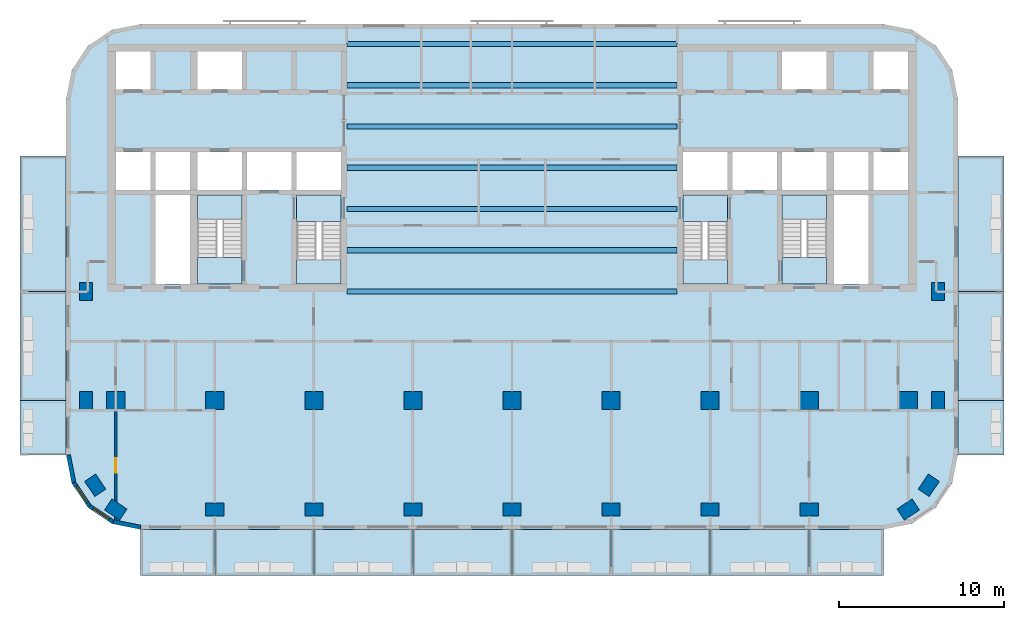
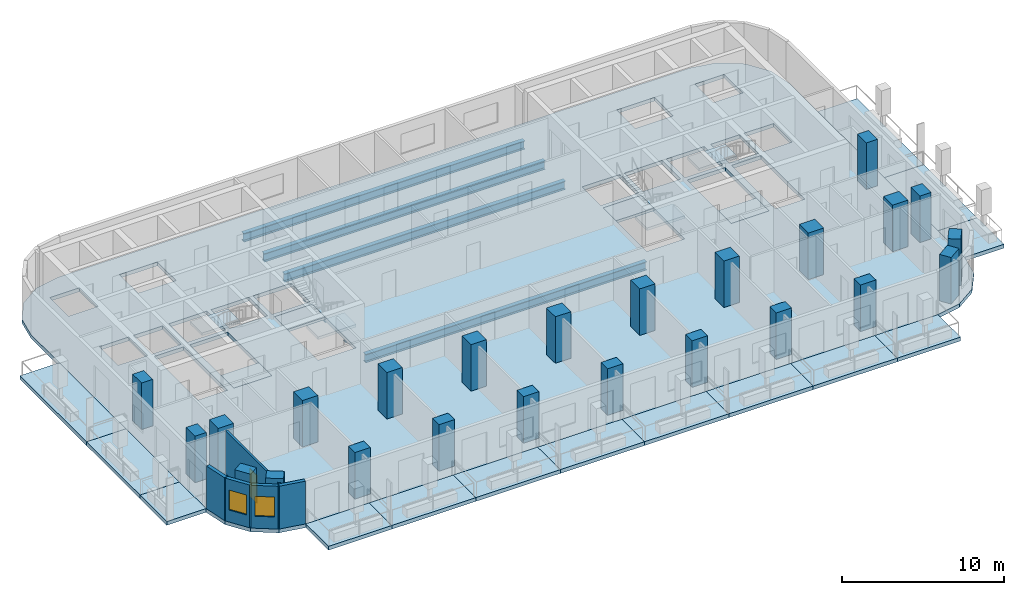
# One storey, part 1 of 11: 24 columns, 23 slabs, 7 beams, 5 walls, 2 windows, 1 door, 3 openings, 4 elements without a shape of their own.
"""IFC4 building model written with IfcOpenShell, lengths in metres."""

from ifc_helpers import new_model, si_unit, direction, frame, frame_2d, origin, origin_2d, place, context, subcontext, project, spatial, polyline, rectangle, i_section, outline, extrude, material, layer, layer_set, material_profile, profile_set, type_object, element, fill, aggregate, save


model = new_model("IFC4")

# Units and contexts
model_context = context("Model", 3, precision=1e-05, world=origin(), true_north=direction((0.0, 1.0)))
body_context = subcontext(model_context, "Body", "Model", "MODEL_VIEW")
ifc_project = project(units=[si_unit("LENGTHUNIT", "METRE"), si_unit("AREAUNIT", "SQUARE_METRE"), si_unit("VOLUMEUNIT", "CUBIC_METRE"), si_unit("PLANEANGLEUNIT", "RADIAN"), si_unit("MASSUNIT", "GRAM", prefix="KILO")], contexts=[model_context])

# Site, building, storey
site_placement = place(None, origin())
site = spatial("IfcSite", under=ifc_project, at=site_placement, CompositionType="ELEMENT")
building_placement = place(site_placement, origin())
building = spatial("IfcBuilding", under=site, at=building_placement, Name="Torana Hotel and Residences", CompositionType="ELEMENT")
storey_placement = place(building_placement, frame((0.0, 0.0, 194.10009765625)))
storey = spatial("IfcBuildingStorey", under=building, at=storey_placement, Name="L50", CompositionType="ELEMENT", Elevation=194.10009765625)

# Columns
ifc_material_1 = material(Name="Concrete C60/75", Category="concrete")
ifc_material_profile_1 = material_profile(ifc_material_1, rectangle(XDim=1.10009765625, YDim=1.10009765625, at=origin_2d()), Name="RC 1100x1100")
ifc_profile_set_1 = profile_set([ifc_material_profile_1], Name="Concrete C60/75")
column_type_1 = type_object("IfcColumnType", Name="COLUMN RC 1100x1100 C60/75", PredefinedType="COLUMN", material=ifc_profile_set_1)
for number, where, z_axis, x_axis, name in (
    (1, (-24.0, -21.60009765625, 0.0), (0.0, 0.0, 1.0), (1.0, 0.0, 0.0), "Column L50"),
    (2, (-18.0, -21.60009765625, 0.0), (0.0, 0.0, 1.0), (1.0, 0.0, 0.0), "Column L50"),
    (3, (-12.0, -21.60009765625, 0.0), (0.0, 0.0, 1.0), (1.0, 0.0, 0.0), "Column L50"),
    (4, (-6.0, -21.60009765625, 0.0), (0.0, 0.0, 1.0), (1.0, 0.0, 0.0), "Column L50"),
    (5, (0.0, -21.60009765625, 0.0), (0.0, 0.0, 1.0), (1.0, 0.0, 0.0), "Column L50"),
    (6, (6.0, -21.60009765625, 0.0), (0.0, 0.0, 1.0), (1.0, 0.0, 0.0), "Column L50"),
    (7, (12.0, -21.60009765625, 0.0), (0.0, 0.0, 1.0), (1.0, 0.0, 0.0), "Column L50"),
    (8, (18.0, -21.60009765625, 0.0), (0.0, 0.0, 1.0), (1.0, 0.0, 0.0), "Column L50"),
    (9, (24.0, -21.60009765625, 0.0), (0.0, 0.0, 1.0), (1.0, 0.0, 0.0), "Column L50"),
):
    element("IfcColumn", number, at=place(storey_placement, frame(where, z_axis=z_axis, x_axis=x_axis)), inside=storey, type_object=column_type_1, Name=name, PredefinedType="COLUMN", context=body_context, shape_type="SweptSolid", body=[
        extrude(rectangle(XDim=1.10009765625, YDim=1.10009765625, at=origin_2d()), origin(), (0.0, 0.0, 1.0), 3.5),
    ])
ifc_material_2 = material(Name="Concrete C60/75", Category="concrete")
ifc_material_profile_2 = material_profile(ifc_material_2, rectangle(XDim=1.10009765625, YDim=0.800048828125, at=origin_2d()), Name="RC 1100x800")
ifc_profile_set_2 = profile_set([ifc_material_profile_2], Name="Concrete C60/75")
column_type_2 = type_object("IfcColumnType", Name="COLUMN RC 1100x800 C60/75", PredefinedType="COLUMN", material=ifc_profile_set_2)
for number, where, z_axis, x_axis, name in (
    (10, (-25.800048828125, -21.60009765625, 0.0), (0.0, 0.0, 1.0), (0.0, 1.0, 0.0), "Column L50"),
    (11, (-25.800048828125, -15.0, 0.0), (0.0, 0.0, 1.0), (0.0, 1.0, 0.0), "Column L50"),
    (12, (-25.243896484375, -26.73291015625, 0.0), (0.0, 0.0, 1.0), (-0.555584744817, 0.831459915646, 0.0), "Column L50"),
    (13, (-24.0, -28.199951171875, 0.0), (0.0, 0.0, 1.0), (-0.831459915646, 0.555584744817, 0.0), "Column L50"),
    (14, (-18.0, -28.199951171875, 0.0), (0.0, 0.0, 1.0), (1.0, 0.0, 0.0), "Column L50"),
    (15, (-12.0, -28.199951171875, 0.0), (0.0, 0.0, 1.0), (1.0, 0.0, 0.0), "Column L50"),
    (16, (-6.0, -28.199951171875, 0.0), (0.0, 0.0, 1.0), (1.0, 0.0, 0.0), "Column L50"),
    (17, (0.0, -28.199951171875, 0.0), (0.0, 0.0, 1.0), (1.0, 0.0, 0.0), "Column L50"),
    (18, (6.0, -28.199951171875, 0.0), (0.0, 0.0, 1.0), (1.0, 0.0, 0.0), "Column L50"),
    (19, (12.0, -28.199951171875, 0.0), (0.0, 0.0, 1.0), (1.0, 0.0, 0.0), "Column L50"),
    (20, (18.0, -28.199951171875, 0.0), (0.0, 0.0, 1.0), (1.0, 0.0, 0.0), "Column L50"),
    (21, (24.0, -28.199951171875, 0.0), (0.0, 0.0, 1.0), (0.831459915646, 0.555584744817, 0.0), "Column L50"),
    (22, (25.243896484375, -26.73291015625, 0.0), (0.0, 0.0, 1.0), (0.555584744817, 0.831459915646, 0.0), "Column L50"),
    (23, (25.800048828125, -21.60009765625, 0.0), (0.0, 0.0, 1.0), (0.0, 1.0, 0.0), "Column L50"),
    (24, (25.800048828125, -15.0, 0.0), (0.0, 0.0, 1.0), (0.0, 1.0, 0.0), "Column L50"),
):
    element("IfcColumn", number, at=place(storey_placement, frame(where, z_axis=z_axis, x_axis=x_axis)), inside=storey, type_object=column_type_2, Name=name, PredefinedType="COLUMN", context=body_context, shape_type="SweptSolid", body=[
        extrude(rectangle(XDim=1.10009765625, YDim=0.800048828125, at=origin_2d()), origin(), (0.0, 0.0, 1.0), 3.5),
    ])

# Beams
ifc_material_3 = material(Name="Steel S355", Category="steel")
ifc_material_profile_3 = material_profile(ifc_material_3, i_section(OverallWidth=0.311279296875, OverallDepth=0.6357421875, WebThickness=0.018310546875, FlangeThickness=0.031494140625, FilletRadius=0.0166015625, at=origin_2d()), Name="610x305x238 UB")
ifc_profile_set_3 = profile_set([ifc_material_profile_3], Name="Steel S355")
beam_type = type_object("IfcBeamType", Name="STEEL GIRDER 610x305x238 UB", PredefinedType="BEAM", material=ifc_profile_set_3)
for number, where, z_axis, x_axis, name in (
    (25, (-10.0, -15.0, -0.597900390625), (1.0, 0.0, 0.0), (0.0, 1.0, 0.0), "Floor girder"),
    (26, (-10.0, -12.5, -0.597900390625), (1.0, 0.0, 0.0), (0.0, 1.0, 0.0), "Floor girder"),
    (27, (-10.0, -10.0, -0.597900390625), (1.0, 0.0, 0.0), (0.0, 1.0, 0.0), "Floor girder"),
    (28, (-10.0, -7.5, -0.597900390625), (1.0, 0.0, 0.0), (0.0, 1.0, 0.0), "Floor girder"),
    (29, (-10.0, -5.0, -0.597900390625), (1.0, 0.0, 0.0), (0.0, 1.0, 0.0), "Floor girder"),
    (30, (-10.0, -2.5, -0.597900390625), (1.0, 0.0, 0.0), (0.0, 1.0, 0.0), "Floor girder"),
    (31, (-10.0, 0.0, -0.597900390625), (1.0, 0.0, 0.0), (0.0, 1.0, 0.0), "Floor girder"),
):
    element("IfcBeam", number, at=place(storey_placement, frame(where, z_axis=z_axis, x_axis=x_axis)), inside=storey, type_object=beam_type, Name=name, PredefinedType="BEAM", context=body_context, shape_type="SweptSolid", body=[
        extrude(i_section(OverallWidth=0.311279296875, OverallDepth=0.6357421875, WebThickness=0.018310546875, FlangeThickness=0.031494140625, FilletRadius=0.0166015625, at=origin_2d()), origin(), (0.0, 0.0, 1.0), 20.0),
    ])

# Slabs
ifc_material_4 = material(Name="Concrete C40/50", Category="concrete")
ifc_layer_1 = layer(ifc_material_4, 0.280029296875)
ifc_layer_set_1 = layer_set([ifc_layer_1], Name="BAL1 BALCONY SLAB 280")
slab_type_1 = type_object("IfcSlabType", Name="BAL1 BALCONY SLAB 280", PredefinedType="USERDEFINED", material=ifc_layer_set_1)
slab_1_placement = place(storey_placement, frame((0.0, 0.0, -0.280029296875)))
element("IfcSlab", 32, at=slab_1_placement, inside=storey, type_object=slab_type_1, Name="Balcony 01", ObjectType="BALCONY", PredefinedType="USERDEFINED", context=body_context, shape_type="SweptSolid", body=[
    extrude(outline(polyline([(-22.5, -32.199951171875), (-18.0, -32.199951171875), (-18.0, -29.39990234375), (-22.5, -29.39990234375), (-22.5, -32.199951171875)])), origin(), (0.0, 0.0, 1.0), 0.280029296875),
])
slab_2_placement = place(storey_placement, frame((0.0, 0.0, -0.280029296875)))
element("IfcSlab", 33, at=slab_2_placement, inside=storey, type_object=slab_type_1, Name="Balcony 02", ObjectType="BALCONY", PredefinedType="USERDEFINED", context=body_context, shape_type="SweptSolid", body=[
    extrude(outline(polyline([(-18.0, -32.199951171875), (-12.0, -32.199951171875), (-12.0, -29.39990234375), (-18.0, -29.39990234375), (-18.0, -32.199951171875)])), origin(), (0.0, 0.0, 1.0), 0.280029296875),
])
slab_3_placement = place(storey_placement, frame((0.0, 0.0, -0.280029296875)))
element("IfcSlab", 34, at=slab_3_placement, inside=storey, type_object=slab_type_1, Name="Balcony 03", ObjectType="BALCONY", PredefinedType="USERDEFINED", context=body_context, shape_type="SweptSolid", body=[
    extrude(outline(polyline([(-12.0, -32.199951171875), (-6.0, -32.199951171875), (-6.0, -29.39990234375), (-12.0, -29.39990234375), (-12.0, -32.199951171875)])), origin(), (0.0, 0.0, 1.0), 0.280029296875),
])
slab_4_placement = place(storey_placement, frame((0.0, 0.0, -0.280029296875)))
element("IfcSlab", 35, at=slab_4_placement, inside=storey, type_object=slab_type_1, Name="Balcony 04", ObjectType="BALCONY", PredefinedType="USERDEFINED", context=body_context, shape_type="SweptSolid", body=[
    extrude(outline(polyline([(-6.0, -32.199951171875), (0.0, -32.199951171875), (0.0, -29.39990234375), (-6.0, -29.39990234375), (-6.0, -32.199951171875)])), origin(), (0.0, 0.0, 1.0), 0.280029296875),
])
slab_5_placement = place(storey_placement, frame((0.0, 0.0, -0.280029296875)))
element("IfcSlab", 36, at=slab_5_placement, inside=storey, type_object=slab_type_1, Name="Balcony 05", ObjectType="BALCONY", PredefinedType="USERDEFINED", context=body_context, shape_type="SweptSolid", body=[
    extrude(outline(polyline([(0.0, -32.199951171875), (6.0, -32.199951171875), (6.0, -29.39990234375), (0.0, -29.39990234375), (0.0, -32.199951171875)])), origin(), (0.0, 0.0, 1.0), 0.280029296875),
])
slab_6_placement = place(storey_placement, frame((0.0, 0.0, -0.280029296875)))
element("IfcSlab", 37, at=slab_6_placement, inside=storey, type_object=slab_type_1, Name="Balcony 06", ObjectType="BALCONY", PredefinedType="USERDEFINED", context=body_context, shape_type="SweptSolid", body=[
    extrude(outline(polyline([(6.0, -32.199951171875), (12.0, -32.199951171875), (12.0, -29.39990234375), (6.0, -29.39990234375), (6.0, -32.199951171875)])), origin(), (0.0, 0.0, 1.0), 0.280029296875),
])
slab_7_placement = place(storey_placement, frame((0.0, 0.0, -0.280029296875)))
element("IfcSlab", 38, at=slab_7_placement, inside=storey, type_object=slab_type_1, Name="Balcony 07", ObjectType="BALCONY", PredefinedType="USERDEFINED", context=body_context, shape_type="SweptSolid", body=[
    extrude(outline(polyline([(12.0, -32.199951171875), (18.0, -32.199951171875), (18.0, -29.39990234375), (12.0, -29.39990234375), (12.0, -32.199951171875)])), origin(), (0.0, 0.0, 1.0), 0.280029296875),
])
slab_8_placement = place(storey_placement, frame((0.0, 0.0, -0.280029296875)))
element("IfcSlab", 39, at=slab_8_placement, inside=storey, type_object=slab_type_1, Name="Balcony 08", ObjectType="BALCONY", PredefinedType="USERDEFINED", context=body_context, shape_type="SweptSolid", body=[
    extrude(outline(polyline([(18.0, -32.199951171875), (22.5, -32.199951171875), (22.5, -29.39990234375), (18.0, -29.39990234375), (18.0, -32.199951171875)])), origin(), (0.0, 0.0, 1.0), 0.280029296875),
])
slab_9_placement = place(storey_placement, frame((0.0, 0.0, -0.280029296875)))
element("IfcSlab", 40, at=slab_9_placement, inside=storey, type_object=slab_type_1, Name="Balcony 09", ObjectType="BALCONY", PredefinedType="USERDEFINED", context=body_context, shape_type="SweptSolid", body=[
    extrude(outline(polyline([(-29.800048828125, -24.89990234375), (-27.0, -24.89990234375), (-27.0, -21.60009765625), (-29.800048828125, -21.60009765625), (-29.800048828125, -24.89990234375)])), origin(), (0.0, 0.0, 1.0), 0.280029296875),
])
slab_10_placement = place(storey_placement, frame((0.0, 0.0, -0.280029296875)))
element("IfcSlab", 41, at=slab_10_placement, inside=storey, type_object=slab_type_1, Name="Balcony 10", ObjectType="BALCONY", PredefinedType="USERDEFINED", context=body_context, shape_type="SweptSolid", body=[
    extrude(outline(polyline([(-29.800048828125, -21.60009765625), (-27.0, -21.60009765625), (-27.0, -15.0), (-29.800048828125, -15.0), (-29.800048828125, -21.60009765625)])), origin(), (0.0, 0.0, 1.0), 0.280029296875),
])
slab_11_placement = place(storey_placement, frame((0.0, 0.0, -0.280029296875)))
element("IfcSlab", 42, at=slab_11_placement, inside=storey, type_object=slab_type_1, Name="Balcony 11", ObjectType="BALCONY", PredefinedType="USERDEFINED", context=body_context, shape_type="SweptSolid", body=[
    extrude(outline(polyline([(-29.800048828125, -15.0), (-27.0, -15.0), (-27.0, -6.800048828125), (-29.800048828125, -6.800048828125), (-29.800048828125, -15.0)])), origin(), (0.0, 0.0, 1.0), 0.280029296875),
])
slab_12_placement = place(storey_placement, frame((0.0, 0.0, -0.280029296875)))
element("IfcSlab", 43, at=slab_12_placement, inside=storey, type_object=slab_type_1, Name="Balcony 12", ObjectType="BALCONY", PredefinedType="USERDEFINED", context=body_context, shape_type="SweptSolid", body=[
    extrude(outline(polyline([(27.0, -24.89990234375), (29.800048828125, -24.89990234375), (29.800048828125, -21.60009765625), (27.0, -21.60009765625), (27.0, -24.89990234375)])), origin(), (0.0, 0.0, 1.0), 0.280029296875),
])
slab_13_placement = place(storey_placement, frame((0.0, 0.0, -0.280029296875)))
element("IfcSlab", 44, at=slab_13_placement, inside=storey, type_object=slab_type_1, Name="Balcony 13", ObjectType="BALCONY", PredefinedType="USERDEFINED", context=body_context, shape_type="SweptSolid", body=[
    extrude(outline(polyline([(27.0, -21.60009765625), (29.800048828125, -21.60009765625), (29.800048828125, -15.0), (27.0, -15.0), (27.0, -21.60009765625)])), origin(), (0.0, 0.0, 1.0), 0.280029296875),
])
slab_14_placement = place(storey_placement, frame((0.0, 0.0, -0.280029296875)))
element("IfcSlab", 45, at=slab_14_placement, inside=storey, type_object=slab_type_1, Name="Balcony 14", ObjectType="BALCONY", PredefinedType="USERDEFINED", context=body_context, shape_type="SweptSolid", body=[
    extrude(outline(polyline([(27.0, -15.0), (29.800048828125, -15.0), (29.800048828125, -6.800048828125), (27.0, -6.800048828125), (27.0, -15.0)])), origin(), (0.0, 0.0, 1.0), 0.280029296875),
])
ifc_material_5 = material(Name="Concrete C40/50", Category="concrete")
ifc_layer_2 = layer(ifc_material_5, 0.280029296875)
ifc_layer_set_2 = layer_set([ifc_layer_2], Name="FLOOR SLAB PT 280")
slab_type_2 = type_object("IfcSlabType", Name="FLOOR SLAB PT 280", PredefinedType="FLOOR", material=ifc_layer_set_2)
slab_15_placement = place(storey_placement, frame((0.0, 0.0, -0.280029296875)))
element("IfcSlab", 46, at=slab_15_placement, inside=storey, type_object=slab_type_2, Name="Floor slab", PredefinedType="FLOOR", context=body_context, shape_type="SweptSolid", body=[
    extrude(outline(polyline([(27.0, -3.300048828125), (26.657470703125, -1.577880859375), (25.681884765625, -0.117919921875), (24.22216796875, 0.857421875), (22.5, 1.199951171875), (-22.5, 1.199951171875), (-24.22216796875, 0.857421875), (-25.681884765625, -0.117919921875), (-26.657470703125, -1.577880859375), (-27.0, -3.300048828125), (-27.0, -24.89990234375), (-26.657470703125, -26.6220703125), (-25.681884765625, -28.08203125), (-24.22216796875, -29.0576171875), (-22.5, -29.39990234375), (22.5, -29.39990234375), (24.22216796875, -29.0576171875), (25.681884765625, -28.08203125), (26.657470703125, -26.6220703125), (27.0, -24.89990234375), (27.0, -3.300048828125)]), holes=[polyline([(-13.050048828125, -14.550048828125), (-10.35009765625, -14.550048828125), (-10.35009765625, -9.14990234375), (-13.050048828125, -9.14990234375), (-13.050048828125, -14.550048828125)]), polyline([(-19.050048828125, -14.550048828125), (-16.35009765625, -14.550048828125), (-16.35009765625, -9.14990234375), (-19.050048828125, -9.14990234375), (-19.050048828125, -14.550048828125)]), polyline([(-19.050048828125, -2.75), (-16.35009765625, -2.75), (-16.35009765625, -0.449951171875), (-19.050048828125, -0.449951171875), (-19.050048828125, -2.75)]), polyline([(-21.60009765625, -8.85009765625), (-19.5, -8.85009765625), (-19.5, -6.550048828125), (-21.60009765625, -6.550048828125), (-21.60009765625, -8.85009765625)]), polyline([(-24.0, -2.75), (-21.89990234375, -2.75), (-21.89990234375, -0.449951171875), (-24.0, -0.449951171875), (-24.0, -2.75)]), polyline([(-24.0, -8.85009765625), (-21.89990234375, -8.85009765625), (-21.89990234375, -6.550048828125), (-24.0, -6.550048828125), (-24.0, -8.85009765625)]), polyline([(-13.050048828125, -8.85009765625), (-10.35009765625, -8.85009765625), (-10.35009765625, -6.550048828125), (-13.050048828125, -6.550048828125), (-13.050048828125, -8.85009765625)]), polyline([(-16.050048828125, -8.85009765625), (-13.35009765625, -8.85009765625), (-13.35009765625, -6.550048828125), (-16.050048828125, -6.550048828125), (-16.050048828125, -8.85009765625)]), polyline([(-19.050048828125, -8.85009765625), (-16.35009765625, -8.85009765625), (-16.35009765625, -6.550048828125), (-19.050048828125, -6.550048828125), (-19.050048828125, -8.85009765625)]), polyline([(-21.60009765625, -14.550048828125), (-19.5, -14.550048828125), (-19.5, -9.14990234375), (-21.60009765625, -9.14990234375), (-21.60009765625, -14.550048828125)]), polyline([(10.35009765625, -14.550048828125), (13.050048828125, -14.550048828125), (13.050048828125, -9.14990234375), (10.35009765625, -9.14990234375), (10.35009765625, -14.550048828125)]), polyline([(16.35009765625, -14.550048828125), (19.050048828125, -14.550048828125), (19.050048828125, -9.14990234375), (16.35009765625, -9.14990234375), (16.35009765625, -14.550048828125)]), polyline([(16.35009765625, -2.75), (19.050048828125, -2.75), (19.050048828125, -0.449951171875), (16.35009765625, -0.449951171875), (16.35009765625, -2.75)]), polyline([(19.5, -8.85009765625), (21.60009765625, -8.85009765625), (21.60009765625, -6.550048828125), (19.5, -6.550048828125), (19.5, -8.85009765625)]), polyline([(21.89990234375, -2.75), (24.0, -2.75), (24.0, -0.449951171875), (21.89990234375, -0.449951171875), (21.89990234375, -2.75)]), polyline([(21.89990234375, -8.85009765625), (24.0, -8.85009765625), (24.0, -6.550048828125), (21.89990234375, -6.550048828125), (21.89990234375, -8.85009765625)]), polyline([(10.35009765625, -8.85009765625), (13.050048828125, -8.85009765625), (13.050048828125, -6.550048828125), (10.35009765625, -6.550048828125), (10.35009765625, -8.85009765625)]), polyline([(13.35009765625, -8.85009765625), (16.050048828125, -8.85009765625), (16.050048828125, -6.550048828125), (13.35009765625, -6.550048828125), (13.35009765625, -8.85009765625)]), polyline([(16.35009765625, -8.85009765625), (19.050048828125, -8.85009765625), (19.050048828125, -6.550048828125), (16.35009765625, -6.550048828125), (16.35009765625, -8.85009765625)]), polyline([(19.5, -14.550048828125), (21.60009765625, -14.550048828125), (21.60009765625, -9.14990234375), (19.5, -9.14990234375), (19.5, -14.550048828125)])]), origin(), (0.0, 0.0, 1.0), 0.280029296875),
])

# Stair, slabs
ifc_material_6 = material(Name="Concrete C40/50 precast", Category="concrete")
stair_type_1 = type_object("IfcStairType", Name="STAIR ST1 HALF TURN 1200", PredefinedType="HALF_TURN_STAIR", material=ifc_material_6)
stair_1_placement = place(storey_placement, origin())
stair_1 = element("IfcStair", 47, at=stair_1_placement, inside=storey, type_object=stair_type_1, Name="Stair ST1 L50", PredefinedType="HALF_TURN_STAIR")
ifc_material_7 = material(Name="Concrete C40/50 precast", Category="concrete")
ifc_layer_3 = layer(ifc_material_7, 0.199951171875)
ifc_layer_set_3 = layer_set([ifc_layer_3], Name="STAIR LANDING 200")
slab_type_3 = type_object("IfcSlabType", Name="STAIR LANDING 200", PredefinedType="LANDING", material=ifc_layer_set_3)
slab_16_placement = place(storey_placement, frame((0.0, 0.0, 1.5498046875)))
slab_16 = element("IfcSlab", 48, at=slab_16_placement, type_object=slab_type_3, Name="ST1 landing 1", PredefinedType="LANDING", context=body_context, shape_type="SweptSolid", body=[
    extrude(outline(polyline([(-13.050048828125, -14.550048828125), (-10.35009765625, -14.550048828125), (-10.35009765625, -13.090087890625), (-13.050048828125, -13.090087890625), (-13.050048828125, -14.550048828125)])), origin(), (0.0, 0.0, 1.0), 0.2001953125),
])
slab_17_placement = place(storey_placement, frame((0.0, 0.0, -0.2001953125)))
slab_17 = element("IfcSlab", 49, at=slab_17_placement, type_object=slab_type_3, Name="ST1 landing 2", PredefinedType="LANDING", context=body_context, shape_type="SweptSolid", body=[
    extrude(outline(polyline([(-13.050048828125, -10.75), (-10.35009765625, -10.75), (-10.35009765625, -9.14990234375), (-13.050048828125, -9.14990234375), (-13.050048828125, -10.75)])), origin(), (0.0, 0.0, 1.0), 0.2001953125),
])
aggregate(stair_1, [slab_16, slab_17])

ifc_material_8 = material(Name="Concrete C40/50 precast", Category="concrete")
stair_type_2 = type_object("IfcStairType", Name="STAIR ST2 HALF TURN 1200", PredefinedType="HALF_TURN_STAIR", material=ifc_material_8)
stair_2_placement = place(storey_placement, origin())
stair_2 = element("IfcStair", 50, at=stair_2_placement, inside=storey, type_object=stair_type_2, Name="Stair ST2 L50", PredefinedType="HALF_TURN_STAIR")
slab_18_placement = place(storey_placement, frame((0.0, 0.0, 1.5498046875)))
slab_18 = element("IfcSlab", 51, at=slab_18_placement, type_object=slab_type_3, Name="ST2 landing 1", PredefinedType="LANDING", context=body_context, shape_type="SweptSolid", body=[
    extrude(outline(polyline([(-19.050048828125, -10.610107421875), (-16.35009765625, -10.610107421875), (-16.35009765625, -9.14990234375), (-19.050048828125, -9.14990234375), (-19.050048828125, -10.610107421875)])), origin(), (0.0, 0.0, 1.0), 0.2001953125),
])
slab_19_placement = place(storey_placement, frame((0.0, 0.0, -0.2001953125)))
slab_19 = element("IfcSlab", 52, at=slab_19_placement, type_object=slab_type_3, Name="ST2 landing 2", PredefinedType="LANDING", context=body_context, shape_type="SweptSolid", body=[
    extrude(outline(polyline([(-19.050048828125, -14.550048828125), (-16.35009765625, -14.550048828125), (-16.35009765625, -12.949951171875), (-19.050048828125, -12.949951171875), (-19.050048828125, -14.550048828125)])), origin(), (0.0, 0.0, 1.0), 0.2001953125),
])
aggregate(stair_2, [slab_18, slab_19])

ifc_material_9 = material(Name="Concrete C40/50 precast", Category="concrete")
stair_type_3 = type_object("IfcStairType", Name="STAIR ST3 HALF TURN 1200", PredefinedType="HALF_TURN_STAIR", material=ifc_material_9)
stair_3_placement = place(storey_placement, origin())
stair_3 = element("IfcStair", 53, at=stair_3_placement, inside=storey, type_object=stair_type_3, Name="Stair ST3 L50", PredefinedType="HALF_TURN_STAIR")
slab_20_placement = place(storey_placement, frame((0.0, 0.0, 1.5498046875)))
slab_20 = element("IfcSlab", 54, at=slab_20_placement, type_object=slab_type_3, Name="ST3 landing 1", PredefinedType="LANDING", context=body_context, shape_type="SweptSolid", body=[
    extrude(outline(polyline([(10.35009765625, -14.550048828125), (13.050048828125, -14.550048828125), (13.050048828125, -13.090087890625), (10.35009765625, -13.090087890625), (10.35009765625, -14.550048828125)])), origin(), (0.0, 0.0, 1.0), 0.2001953125),
])
slab_21_placement = place(storey_placement, frame((0.0, 0.0, -0.2001953125)))
slab_21 = element("IfcSlab", 55, at=slab_21_placement, type_object=slab_type_3, Name="ST3 landing 2", PredefinedType="LANDING", context=body_context, shape_type="SweptSolid", body=[
    extrude(outline(polyline([(10.35009765625, -10.75), (13.050048828125, -10.75), (13.050048828125, -9.14990234375), (10.35009765625, -9.14990234375), (10.35009765625, -10.75)])), origin(), (0.0, 0.0, 1.0), 0.2001953125),
])
aggregate(stair_3, [slab_20, slab_21])

ifc_material_10 = material(Name="Concrete C40/50 precast", Category="concrete")
stair_type_4 = type_object("IfcStairType", Name="STAIR ST4 HALF TURN 1200", PredefinedType="HALF_TURN_STAIR", material=ifc_material_10)
stair_4_placement = place(storey_placement, origin())
stair_4 = element("IfcStair", 56, at=stair_4_placement, inside=storey, type_object=stair_type_4, Name="Stair ST4 L50", PredefinedType="HALF_TURN_STAIR")
slab_22_placement = place(storey_placement, frame((0.0, 0.0, 1.5498046875)))
slab_22 = element("IfcSlab", 57, at=slab_22_placement, type_object=slab_type_3, Name="ST4 landing 1", PredefinedType="LANDING", context=body_context, shape_type="SweptSolid", body=[
    extrude(outline(polyline([(16.35009765625, -10.610107421875), (19.050048828125, -10.610107421875), (19.050048828125, -9.14990234375), (16.35009765625, -9.14990234375), (16.35009765625, -10.610107421875)])), origin(), (0.0, 0.0, 1.0), 0.2001953125),
])
slab_23_placement = place(storey_placement, frame((0.0, 0.0, -0.2001953125)))
slab_23 = element("IfcSlab", 58, at=slab_23_placement, type_object=slab_type_3, Name="ST4 landing 2", PredefinedType="LANDING", context=body_context, shape_type="SweptSolid", body=[
    extrude(outline(polyline([(16.35009765625, -14.550048828125), (19.050048828125, -14.550048828125), (19.050048828125, -12.949951171875), (16.35009765625, -12.949951171875), (16.35009765625, -14.550048828125)])), origin(), (0.0, 0.0, 1.0), 0.2001953125),
])
aggregate(stair_4, [slab_22, slab_23])

# Wall
ifc_material_11 = material(Name="Black aluminium composite panel", Category="aluminium")
ifc_layer_4 = layer(ifc_material_11, 0.00390625, Name="Cladding", Category="cladding")
ifc_material_12 = material(Name="Ventilated air cavity")
ifc_layer_5 = layer(ifc_material_12, 0.0400390625, Name="Ventilated cavity", Category="cavity")
ifc_material_13 = material(Name="Mineral wool insulation")
ifc_layer_6 = layer(ifc_material_13, 0.090087890625, Name="Insulation", Category="insulation")
ifc_material_14 = material(Name="Steel S280GD", Category="steel")
ifc_layer_7 = layer(ifc_material_14, 0.092041015625, Name="Steel stud frame", Category="structure")
ifc_material_15 = material(Name="Fire rated plasterboard")
ifc_layer_8 = layer(ifc_material_15, 0.011962890625, Name="Inner board", Category="finish")
ifc_layer_9 = layer(ifc_material_15, 0.011962890625, Name="Second board", Category="finish")
ifc_layer_set_4 = layer_set([ifc_layer_4, ifc_layer_5, ifc_layer_6, ifc_layer_7, ifc_layer_8, ifc_layer_9], Name="EW1 EXTERNAL WALL BLACK METAL CLAD 250")
wall_type_1 = type_object("IfcWallType", Name="EW1 EXTERNAL WALL BLACK METAL CLAD 250", PredefinedType="SOLIDWALL", material=ifc_layer_set_4)
wall_1_placement = place(storey_placement, frame((-26.87255859375, -24.89990234375, 0.0), z_axis=(0.0, 0.0, 1.0), x_axis=(0.195026884138, -0.980797896849, 0.0)))
element("IfcWall", 59, at=wall_1_placement, inside=storey, type_object=wall_type_1, Name="External wall L50 e0.10", PredefinedType="SOLIDWALL", context=body_context, shape_type="SweptSolid", body=[
    extrude(rectangle(XDim=1.68115234375, YDim=0.25, at=frame_2d((0.840576171875, 0.0))), origin(), (0.0, 0.0, 1.0), 3.219970703125),
])

# Wall, opening, window
wall_2_placement = place(storey_placement, frame((-26.52587890625, -26.593994140625, 0.0), z_axis=(0.0, 0.0, 1.0), x_axis=(0.55555029066, -0.831482937015, 0.0)))
wall_2 = element("IfcWall", 60, at=wall_2_placement, inside=storey, type_object=wall_type_1, Name="External wall L50 e0.11", PredefinedType="SOLIDWALL", context=body_context, shape_type="SweptSolid", body=[
    extrude(rectangle(XDim=1.65625, YDim=0.25, at=frame_2d((0.828125, 0.0))), origin(), (0.0, 0.0, 1.0), 3.219970703125),
])
opening_1_placement = place(wall_2_placement, frame((0.228271484375, 0.0, 0.89990234375)))
opening_1 = element("IfcOpeningElement", 61, at=opening_1_placement, cuts=wall_2, Name="Opening W5", PredefinedType="OPENING", context=body_context, shape_type="SweptSolid", body=[
    extrude(rectangle(XDim=1.199951171875, YDim=1.5, at=frame_2d((0.60009765625, 0.75))), frame((0.0, 0.135009765625, 0.0), z_axis=(0.0, -1.0, 0.0), x_axis=(1.0, 0.0, 0.0)), (0.0, 0.0, 1.0), 0.27001953125),
])
ifc_material_16 = material(Name="Dark glass in black aluminium frame", Category="aluminium")
window_type = type_object("IfcWindowType", Name="W5 CORNER FACET WINDOW 1200x1500", PartitioningType="SINGLE_PANEL", PredefinedType="WINDOW", material=ifc_material_16)
window_1_placement = place(opening_1_placement, origin())
window_1 = element("IfcWindow", 62, at=window_1_placement, inside=storey, type_object=window_type, Name="Window L50 e0.11", OverallHeight=1.5, OverallWidth=1.199951171875, PartitioningType="SINGLE_PANEL", PredefinedType="WINDOW", context=body_context, shape_type="SweptSolid", body=[
    extrude(rectangle(XDim=1.199951171875, YDim=1.5, at=frame_2d((0.60009765625, 0.75))), frame((0.0, 0.030029296875, 0.0), z_axis=(0.0, -1.0, 0.0), x_axis=(1.0, 0.0, 0.0)), (0.0, 0.0, 1.0), 0.06005859375),
])
fill(opening_1, window_1)

wall_3_placement = place(storey_placement, frame((-25.5712890625, -28.005615234375, 0.0), z_axis=(0.0, 0.0, 1.0), x_axis=(0.831482937015, -0.55555029066, 0.0)))
wall_3 = element("IfcWall", 63, at=wall_3_placement, inside=storey, type_object=wall_type_1, Name="External wall L50 e0.12", PredefinedType="SOLIDWALL", context=body_context, shape_type="SweptSolid", body=[
    extrude(rectangle(XDim=1.65625, YDim=0.25, at=frame_2d((0.828125, 0.0))), origin(), (0.0, 0.0, 1.0), 3.219970703125),
])
opening_2_placement = place(wall_3_placement, frame((0.228271484375, 0.0, 0.89990234375)))
opening_2 = element("IfcOpeningElement", 64, at=opening_2_placement, cuts=wall_3, Name="Opening W5", PredefinedType="OPENING", context=body_context, shape_type="SweptSolid", body=[
    extrude(rectangle(XDim=1.199951171875, YDim=1.5, at=frame_2d((0.60009765625, 0.75))), frame((0.0, 0.135009765625, 0.0), z_axis=(0.0, -1.0, 0.0), x_axis=(1.0, 0.0, 0.0)), (0.0, 0.0, 1.0), 0.27001953125),
])
window_2_placement = place(opening_2_placement, origin())
window_2 = element("IfcWindow", 65, at=window_2_placement, inside=storey, type_object=window_type, Name="Window L50 e0.12", OverallHeight=1.5, OverallWidth=1.199951171875, PartitioningType="SINGLE_PANEL", PredefinedType="WINDOW", context=body_context, shape_type="SweptSolid", body=[
    extrude(rectangle(XDim=1.199951171875, YDim=1.5, at=frame_2d((0.60009765625, 0.75))), frame((0.0, 0.030029296875, 0.0), z_axis=(0.0, -1.0, 0.0), x_axis=(1.0, 0.0, 0.0)), (0.0, 0.0, 1.0), 0.06005859375),
])
fill(opening_2, window_2)

# Wall
wall_4_placement = place(storey_placement, frame((-24.14892578125, -28.944580078125, 0.0), z_axis=(0.0, 0.0, 1.0), x_axis=(0.980775640221, -0.19513878023, 0.0)))
element("IfcWall", 66, at=wall_4_placement, inside=storey, type_object=wall_type_1, Name="External wall L50 e0.13", PredefinedType="SOLIDWALL", context=body_context, shape_type="SweptSolid", body=[
    extrude(rectangle(XDim=1.681396484375, YDim=0.25, at=frame_2d((0.8408203125, 0.0))), origin(), (0.0, 0.0, 1.0), 3.219970703125),
])

# Wall, opening, door
ifc_material_17 = material(Name="Gypsum plasterboard")
ifc_layer_10 = layer(ifc_material_17, 0.012451171875, Name="Plasterboard", Category="finish")
ifc_layer_11 = layer(ifc_material_17, 0.012451171875, Name="Plasterboard", Category="finish")
ifc_layer_12 = layer(ifc_material_14, 0.10009765625, Name="Steel studs with mineral wool", Category="insulation")
ifc_layer_13 = layer(ifc_material_17, 0.012451171875, Name="Plasterboard", Category="finish")
ifc_layer_14 = layer(ifc_material_17, 0.012451171875, Name="Plasterboard", Category="finish")
ifc_layer_set_5 = layer_set([ifc_layer_10, ifc_layer_11, ifc_layer_12, ifc_layer_13, ifc_layer_14], Name="PARTITION 150 PLASTERBOARD")
wall_type_2 = type_object("IfcWallType", Name="PARTITION 150 PLASTERBOARD", PredefinedType="PARTITIONING", material=ifc_layer_set_5)
wall_5_placement = place(storey_placement, frame((-24.0, -28.918212890625, 0.0), z_axis=(0.0, 0.0, 1.0), x_axis=(0.0, 1.0, 0.0)))
wall_5 = element("IfcWall", 67, at=wall_5_placement, inside=storey, type_object=wall_type_2, Name="Partition L50", PredefinedType="PARTITIONING", context=body_context, shape_type="SweptSolid", body=[
    extrude(rectangle(XDim=6.71826171875, YDim=0.14990234375, at=frame_2d((3.359130859375, 0.0))), origin(), (0.0, 0.0, 1.0), 3.219970703125),
])
opening_3_placement = place(wall_5_placement, frame((2.93603515625, 0.0, 0.0)))
opening_3 = element("IfcOpeningElement", 68, at=opening_3_placement, cuts=wall_5, Name="Opening L50-54", PredefinedType="OPENING", context=body_context, shape_type="SweptSolid", body=[
    extrude(rectangle(XDim=0.89990234375, YDim=2.10009765625, at=frame_2d((0.449951171875, 1.050048828125))), frame((0.0, 0.0849609375, 0.0), z_axis=(0.0, -1.0, 0.0), x_axis=(1.0, 0.0, 0.0)), (0.0, 0.0, 1.0), 0.169921875),
])
ifc_material_18 = material(Name="Timber door, oiled ash", Category="wood")
door_type = type_object("IfcDoorType", Name="ROOM DOOR D7 900x2100", OperationType="SINGLE_SWING_LEFT", PredefinedType="DOOR", material=ifc_material_18)
door_placement = place(opening_3_placement, origin())
door = element("IfcDoor", 69, at=door_placement, inside=storey, type_object=door_type, Name="Door L50", OperationType="SINGLE_SWING_RIGHT", OverallHeight=2.10009765625, OverallWidth=0.89990234375, PredefinedType="DOOR", context=body_context, shape_type="SweptSolid", body=[
    extrude(rectangle(XDim=0.89990234375, YDim=2.10009765625, at=frame_2d((0.449951171875, 1.050048828125))), frame((0.0, 0.02490234375, 0.0), z_axis=(0.0, -1.0, 0.0), x_axis=(1.0, 0.0, 0.0)), (0.0, 0.0, 1.0), 0.050048828125),
])
fill(opening_3, door)

save(model, "model.ifc")
